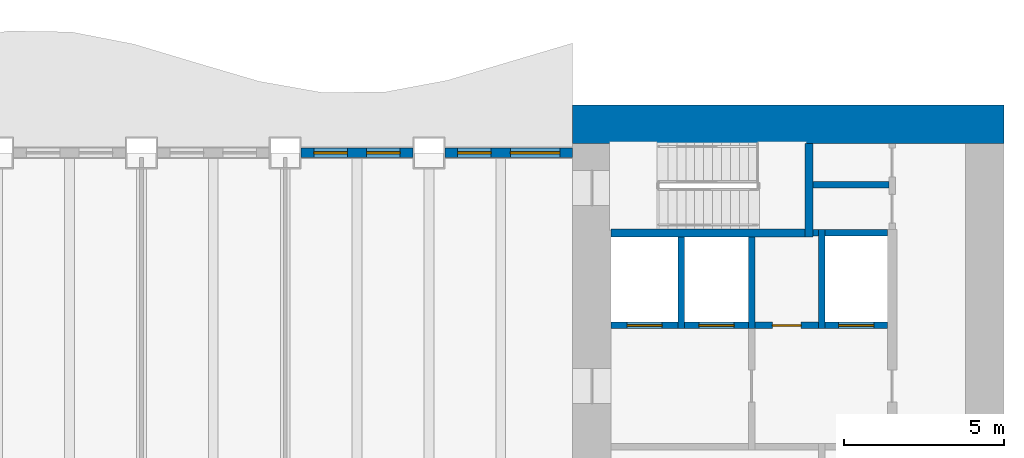
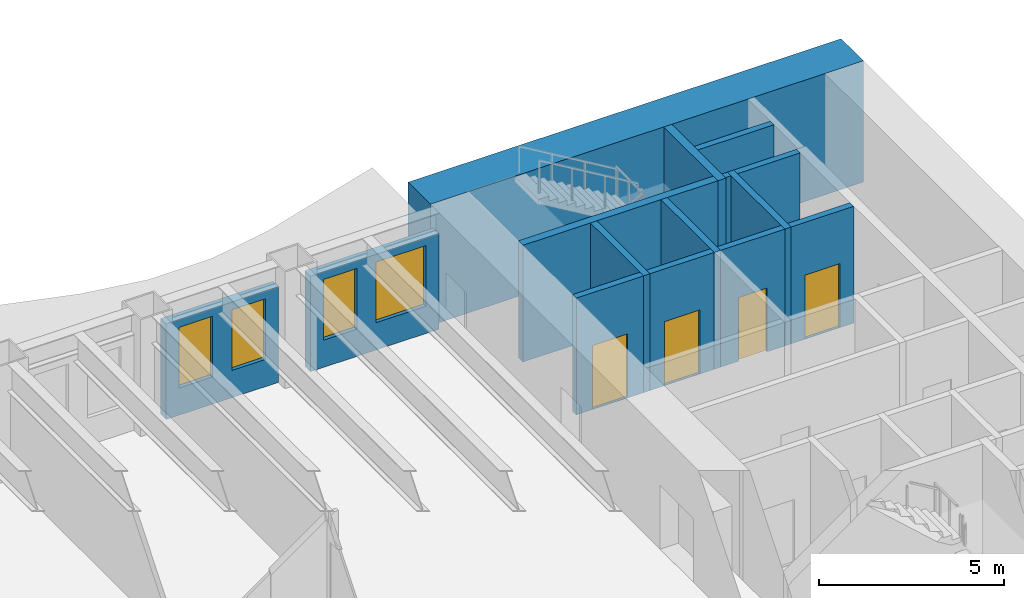
# One storey, part 7 of 16: 15 walls, 4 doors, 4 windows, 8 openings.
"""IFC4 building model written with IfcOpenShell, lengths in metres."""

from ifc_helpers import new_model, si_unit, direction, frame, frame_2d, origin, place, context, subcontext, project, spatial, rectangle, extrude, material, layer, layer_set, type_object, element, fill, save


model = new_model("IFC4")

# Units and contexts
model_context = context("Model", 3, precision=1e-05, world=origin(), true_north=direction((0.0, 1.0)))
body_context = subcontext(model_context, "Body", "Model", "MODEL_VIEW")
ifc_project = project(units=[si_unit("LENGTHUNIT", "METRE"), si_unit("AREAUNIT", "SQUARE_METRE"), si_unit("VOLUMEUNIT", "CUBIC_METRE"), si_unit("PLANEANGLEUNIT", "RADIAN"), si_unit("MASSUNIT", "GRAM", prefix="KILO")], contexts=[model_context])

# Site, building, storey
site_placement = place(None, origin())
site = spatial("IfcSite", under=ifc_project, at=site_placement, CompositionType="ELEMENT")
building_placement = place(site_placement, origin())
building = spatial("IfcBuilding", under=site, at=building_placement, Name="Sennacour Bend Tower", CompositionType="ELEMENT")
storey_placement = place(building_placement, frame((0.0, 0.0, 119.0)))
storey = spatial("IfcBuildingStorey", under=building, at=storey_placement, Name="L27", CompositionType="ELEMENT", Elevation=119.0)

# Wall
ifc_material_1 = material(Name="Concrete C80/95", Category="concrete")
ifc_layer_1 = layer(ifc_material_1, 1.199951171875, Name="Concrete C80/95", Category="concrete")
ifc_layer_set_1 = layer_set([ifc_layer_1], Name="Concrete C80/95")
wall_type_1 = type_object("IfcWallType", Name="Core wall 1200 C80/95", PredefinedType="SHEAR", material=ifc_layer_set_1)
wall_1_placement = place(storey_placement, frame((54.0, 21.89990234375, -0.14990234375), z_axis=(0.0, 0.0, 1.0), x_axis=(1.0, 0.0, 0.0)))
element("IfcWall", 1, at=wall_1_placement, inside=storey, type_object=wall_type_1, Name="Core A wall L27 N", PredefinedType="SHEAR", context=body_context, shape_type="SweptSolid", body=[
    extrude(rectangle(XDim=13.5, YDim=1.199951171875, at=frame_2d((6.75, 0.0))), origin(), (0.0, 0.0, 1.0), 4.0),
])

# Wall, opening, door
ifc_material_2 = material(Name="Fire-rated plasterboard partition on steel studs", Category="steel")
ifc_layer_2 = layer(ifc_material_2, 0.199951171875, Name="Fire-rated plasterboard partition on steel studs", Category="steel")
ifc_layer_set_2 = layer_set([ifc_layer_2], Name="Fire-rated plasterboard partition on steel studs")
wall_type_2 = type_object("IfcWallType", Name="Rated partition 200", PredefinedType="PARTITIONING", material=ifc_layer_set_2)
wall_2_placement = place(storey_placement, frame((59.699951171875, 15.60009765625, 0.0), z_axis=(0.0, 0.0, 1.0), x_axis=(1.0, 0.0, 0.0)))
wall_2 = element("IfcWall", 2, at=wall_2_placement, inside=storey, type_object=wall_type_2, Name="P-L27-W064", PredefinedType="PARTITIONING", context=body_context, shape_type="SweptSolid", body=[
    extrude(rectangle(XDim=2.0, YDim=0.199951171875, at=frame_2d((1.0, 0.0))), origin(), (0.0, 0.0, 1.0), 3.85009765625),
])
opening_1_placement = place(wall_2_placement, frame((0.550048828125, 0.0, 0.0)))
opening_1 = element("IfcOpeningElement", 3, at=opening_1_placement, cuts=wall_2, Name="Opening SV", PredefinedType="OPENING", context=body_context, shape_type="SweptSolid", body=[
    extrude(rectangle(XDim=0.89990234375, YDim=2.10009765625, at=frame_2d((0.449951171875, 1.050048828125))), frame((0.0, 0.10986328125, 0.0), z_axis=(0.0, -1.0, 0.0), x_axis=(1.0, 0.0, 0.0)), (0.0, 0.0, 1.0), 0.219970703125),
])
ifc_material_3 = material(Name="Painted steel", Category="steel")
door_type_1 = type_object("IfcDoorType", Name="DR-SERVICE-900", OperationType="NOTDEFINED", PredefinedType="DOOR", material=ifc_material_3)
door_1_placement = place(opening_1_placement, origin())
door_1 = element("IfcDoor", 4, at=door_1_placement, inside=storey, type_object=door_type_1, Name="Door", OperationType="SINGLE_SWING_RIGHT", OverallHeight=2.10009765625, OverallWidth=0.89990234375, PredefinedType="DOOR", context=body_context, shape_type="SweptSolid", body=[
    extrude(rectangle(XDim=0.89990234375, YDim=2.10009765625, at=frame_2d((0.449951171875, 1.050048828125))), frame((0.0, 0.02490234375, 0.0), z_axis=(0.0, -1.0, 0.0), x_axis=(1.0, 0.0, 0.0)), (0.0, 0.0, 1.0), 0.050048828125),
])
fill(opening_1, door_1)

# Walls
wall_3_placement = place(storey_placement, frame((61.52490234375, 18.5, 0.0), z_axis=(0.0, 0.0, 1.0), x_axis=(1.0, 0.0, 0.0)))
element("IfcWall", 5, at=wall_3_placement, inside=storey, type_object=wall_type_2, Name="P-L27-W068", PredefinedType="PARTITIONING", context=body_context, shape_type="SweptSolid", body=[
    extrude(rectangle(XDim=0.175048828125, YDim=0.199951171875, at=frame_2d((0.08740234375, 0.0))), origin(), (0.0, 0.0, 1.0), 3.85009765625),
])
wall_4_placement = place(storey_placement, frame((61.52490234375, 20.0, 0.0), z_axis=(0.0, 0.0, 1.0), x_axis=(1.0, 0.0, 0.0)))
element("IfcWall", 6, at=wall_4_placement, inside=storey, type_object=wall_type_2, Name="P-L27-W070", PredefinedType="PARTITIONING", context=body_context, shape_type="SweptSolid", body=[
    extrude(rectangle(XDim=2.375, YDim=0.199951171875, at=frame_2d((1.1875, 0.0))), origin(), (0.0, 0.0, 1.0), 3.85009765625),
])

# Wall, openings, windows
ifc_material_4 = material(Name="Warm limestone cladding", Category="masonry")
ifc_layer_3 = layer(ifc_material_4, 0.050048828125, Name="Warm limestone cladding", Category="masonry")
ifc_material_5 = material(Name="Precast concrete C40/50", Category="concrete")
ifc_layer_4 = layer(ifc_material_5, 0.25, Name="Precast concrete C40/50", Category="concrete")
ifc_layer_set_3 = layer_set([ifc_layer_3, ifc_layer_4], Name="Precast concrete C40/50 with limestone cladding")
wall_type_3 = type_object("IfcWallType", Name="STONE-CLAD PRECAST SPANDREL 300", PredefinedType="STANDARD", material=ifc_layer_set_3)
wall_5_placement = place(storey_placement, frame((54.0, 21.0, 0.0), z_axis=(0.0, 0.0, 1.0), x_axis=(-1.0, 0.0, 0.0)))
wall_5 = element("IfcWall", 7, at=wall_5_placement, inside=storey, type_object=wall_type_3, Name="Stone spandrel and pier wall L27 06.00", PredefinedType="STANDARD", context=body_context, shape_type="SweptSolid", body=[
    extrude(rectangle(XDim=4.0, YDim=0.300048828125, at=frame_2d((2.0, 0.0))), origin(), (0.0, 0.0, 1.0), 3.154052734375),
])
opening_2_placement = place(wall_5_placement, frame((0.39990234375, 0.0, 0.89990234375)))
opening_2 = element("IfcOpeningElement", 8, at=opening_2_placement, cuts=wall_5, Name="Opening W9", PredefinedType="OPENING", context=body_context, shape_type="SweptSolid", body=[
    extrude(rectangle(XDim=1.550048828125, YDim=2.0, at=frame_2d((0.77490234375, 1.0))), frame((0.0, 0.16015625, 0.0), z_axis=(0.0, -1.0, 0.0), x_axis=(1.0, 0.0, 0.0)), (0.0, 0.0, 1.0), 0.320068359375),
])
opening_3_placement = place(wall_5_placement, frame((2.550048828125, 0.0, 0.89990234375)))
opening_3 = element("IfcOpeningElement", 9, at=opening_3_placement, cuts=wall_5, Name="Opening W13", PredefinedType="OPENING", context=body_context, shape_type="SweptSolid", body=[
    extrude(rectangle(XDim=1.050048828125, YDim=2.0, at=frame_2d((0.52490234375, 1.0))), frame((0.0, 0.16015625, 0.0), z_axis=(0.0, -1.0, 0.0), x_axis=(1.0, 0.0, 0.0)), (0.0, 0.0, 1.0), 0.320068359375),
])
ifc_material_6 = material(Name="Clear low-emissivity glass", Category="glass")
window_type_1 = type_object("IfcWindowType", Name="WIN-RIBBON-1050x2000", PartitioningType="SINGLE_PANEL", PredefinedType="WINDOW", material=ifc_material_6)
window_1_placement = place(opening_3_placement, origin())
window_1 = element("IfcWindow", 10, at=window_1_placement, inside=storey, type_object=window_type_1, Name="Ribbon window L27 06.00.1", OverallHeight=2.0, OverallWidth=1.050048828125, PartitioningType="SINGLE_PANEL", PredefinedType="WINDOW", context=body_context, shape_type="SweptSolid", body=[
    extrude(rectangle(XDim=1.050048828125, YDim=2.0, at=frame_2d((0.52490234375, 1.0))), frame((0.0, 0.030029296875, 0.0), z_axis=(0.0, -1.0, 0.0), x_axis=(1.0, 0.0, 0.0)), (0.0, 0.0, 1.0), 0.06005859375),
])
fill(opening_3, window_1)
window_type_2 = type_object("IfcWindowType", Name="WIN-RIBBON-1550x2000", PartitioningType="SINGLE_PANEL", PredefinedType="WINDOW", material=ifc_material_6)
window_2_placement = place(opening_2_placement, origin())
window_2 = element("IfcWindow", 11, at=window_2_placement, inside=storey, type_object=window_type_2, Name="Ribbon window L27 06.00.0", OverallHeight=2.0, OverallWidth=1.550048828125, PartitioningType="SINGLE_PANEL", PredefinedType="WINDOW", context=body_context, shape_type="SweptSolid", body=[
    extrude(rectangle(XDim=1.550048828125, YDim=2.0, at=frame_2d((0.77490234375, 1.0))), frame((0.0, 0.030029296875, 0.0), z_axis=(0.0, -1.0, 0.0), x_axis=(1.0, 0.0, 0.0)), (0.0, 0.0, 1.0), 0.06005859375),
])
fill(opening_2, window_2)

wall_6_placement = place(storey_placement, frame((49.0, 21.0, 0.0), z_axis=(0.0, 0.0, 1.0), x_axis=(-1.0, 0.0, 0.0)))
wall_6 = element("IfcWall", 12, at=wall_6_placement, inside=storey, type_object=wall_type_3, Name="Stone spandrel and pier wall L27 06.01", PredefinedType="STANDARD", context=body_context, shape_type="SweptSolid", body=[
    extrude(rectangle(XDim=3.5, YDim=0.300048828125, at=frame_2d((1.75, 0.0))), origin(), (0.0, 0.0, 1.0), 3.154052734375),
])
opening_4_placement = place(wall_6_placement, frame((0.39990234375, 0.0, 0.89990234375)))
opening_4 = element("IfcOpeningElement", 13, at=opening_4_placement, cuts=wall_6, Name="Opening W13", PredefinedType="OPENING", context=body_context, shape_type="SweptSolid", body=[
    extrude(rectangle(XDim=1.050048828125, YDim=2.0, at=frame_2d((0.52490234375, 1.0))), frame((0.0, 0.16015625, 0.0), z_axis=(0.0, -1.0, 0.0), x_axis=(1.0, 0.0, 0.0)), (0.0, 0.0, 1.0), 0.320068359375),
])
opening_5_placement = place(wall_6_placement, frame((2.050048828125, 0.0, 0.89990234375)))
opening_5 = element("IfcOpeningElement", 14, at=opening_5_placement, cuts=wall_6, Name="Opening W13", PredefinedType="OPENING", context=body_context, shape_type="SweptSolid", body=[
    extrude(rectangle(XDim=1.050048828125, YDim=2.0, at=frame_2d((0.52490234375, 1.0))), frame((0.0, 0.16015625, 0.0), z_axis=(0.0, -1.0, 0.0), x_axis=(1.0, 0.0, 0.0)), (0.0, 0.0, 1.0), 0.320068359375),
])
window_3_placement = place(opening_4_placement, origin())
window_3 = element("IfcWindow", 15, at=window_3_placement, inside=storey, type_object=window_type_1, Name="Ribbon window L27 06.01.0", OverallHeight=2.0, OverallWidth=1.050048828125, PartitioningType="SINGLE_PANEL", PredefinedType="WINDOW", context=body_context, shape_type="SweptSolid", body=[
    extrude(rectangle(XDim=1.050048828125, YDim=2.0, at=frame_2d((0.52490234375, 1.0))), frame((0.0, 0.030029296875, 0.0), z_axis=(0.0, -1.0, 0.0), x_axis=(1.0, 0.0, 0.0)), (0.0, 0.0, 1.0), 0.06005859375),
])
fill(opening_4, window_3)
window_4_placement = place(opening_5_placement, origin())
window_4 = element("IfcWindow", 16, at=window_4_placement, inside=storey, type_object=window_type_1, Name="Ribbon window L27 06.01.1", OverallHeight=2.0, OverallWidth=1.050048828125, PartitioningType="SINGLE_PANEL", PredefinedType="WINDOW", context=body_context, shape_type="SweptSolid", body=[
    extrude(rectangle(XDim=1.050048828125, YDim=2.0, at=frame_2d((0.52490234375, 1.0))), frame((0.0, 0.030029296875, 0.0), z_axis=(0.0, -1.0, 0.0), x_axis=(1.0, 0.0, 0.0)), (0.0, 0.0, 1.0), 0.06005859375),
])
fill(opening_5, window_4)

# Walls
ifc_material_7 = material(Name="Concrete C50/60", Category="concrete")
ifc_layer_5 = layer(ifc_material_7, 0.199951171875, Name="Concrete C50/60", Category="concrete")
ifc_layer_set_4 = layer_set([ifc_layer_5], Name="Concrete C50/60")
wall_type_4 = type_object("IfcWallType", Name="Shaft wall 200", PredefinedType="SOLIDWALL", material=ifc_layer_set_4)
for number, where, z_axis, x_axis, name in (
    (17, (57.39990234375, 15.5, 0.0), (0.0, 0.0, 1.0), (0.0, 1.0, 0.0), "P-L27-W037"),
    (18, (59.60009765625, 15.5, 0.0), (0.0, 0.0, 1.0), (0.0, 1.0, 0.0), "P-L27-W040"),
):
    element("IfcWall", number, at=place(storey_placement, frame(where, z_axis=z_axis, x_axis=x_axis)), inside=storey, type_object=wall_type_4, Name=name, PredefinedType="SOLIDWALL", context=body_context, shape_type="SweptSolid", body=[
        extrude(rectangle(XDim=2.875, YDim=0.199951171875, at=frame_2d((1.4375, 0.0))), origin(), (0.0, 0.0, 1.0), 3.85009765625),
    ])
wall_7_placement = place(storey_placement, frame((61.800048828125, 15.5, 0.0), z_axis=(0.0, 0.0, 1.0), x_axis=(0.0, 1.0, 0.0)))
element("IfcWall", 19, at=wall_7_placement, inside=storey, type_object=wall_type_4, Name="P-L27-W045", PredefinedType="SOLIDWALL", context=body_context, shape_type="SweptSolid", body=[
    extrude(rectangle(XDim=3.10009765625, YDim=0.199951171875, at=frame_2d((1.550048828125, 0.0))), origin(), (0.0, 0.0, 1.0), 3.85009765625),
])

# Wall, opening, door
wall_8_placement = place(storey_placement, frame((55.199951171875, 15.60009765625, 0.0), z_axis=(0.0, 0.0, 1.0), x_axis=(1.0, 0.0, 0.0)))
wall_8 = element("IfcWall", 20, at=wall_8_placement, inside=storey, type_object=wall_type_4, Name="P-L27-W063a", PredefinedType="SOLIDWALL", context=body_context, shape_type="SweptSolid", body=[
    extrude(rectangle(XDim=2.10009765625, YDim=0.199951171875, at=frame_2d((1.050048828125, 0.0))), origin(), (0.0, 0.0, 1.0), 3.85009765625),
])
opening_6_placement = place(wall_8_placement, frame((0.5, 0.0, 0.011962890625)))
opening_6 = element("IfcOpeningElement", 21, at=opening_6_placement, cuts=wall_8, Name="Opening FLD", PredefinedType="OPENING", context=body_context, shape_type="SweptSolid", body=[
    extrude(rectangle(XDim=1.10009765625, YDim=2.10009765625, at=frame_2d((0.550048828125, 1.050048828125))), frame((0.0, 0.10986328125, 0.0), z_axis=(0.0, -1.0, 0.0), x_axis=(1.0, 0.0, 0.0)), (0.0, 0.0, 1.0), 0.219970703125),
])
ifc_material_8 = material(Name="Stainless steel", Category="steel")
door_type_2 = type_object("IfcDoorType", Name="DR-FF-LANDING-1100", OperationType="NOTDEFINED", PredefinedType="DOOR", material=ifc_material_8)
door_2_placement = place(opening_6_placement, origin())
door_2 = element("IfcDoor", 22, at=door_2_placement, inside=storey, type_object=door_type_2, Name="Fire service lift landing door FA1", OperationType="SLIDING_TO_LEFT", OverallHeight=2.10009765625, OverallWidth=1.10009765625, PredefinedType="DOOR", context=body_context, shape_type="SweptSolid", body=[
    extrude(rectangle(XDim=1.10009765625, YDim=2.10009765625, at=frame_2d((0.550048828125, 1.050048828125))), frame((0.0, 0.02490234375, 0.0), z_axis=(0.0, -1.0, 0.0), x_axis=(1.0, 0.0, 0.0)), (0.0, 0.0, 1.0), 0.050048828125),
])
fill(opening_6, door_2)

wall_9_placement = place(storey_placement, frame((57.5, 15.60009765625, 0.0), z_axis=(0.0, 0.0, 1.0), x_axis=(1.0, 0.0, 0.0)))
wall_9 = element("IfcWall", 23, at=wall_9_placement, inside=storey, type_object=wall_type_4, Name="P-L27-W063b", PredefinedType="SOLIDWALL", context=body_context, shape_type="SweptSolid", body=[
    extrude(rectangle(XDim=2.0, YDim=0.199951171875, at=frame_2d((1.0, 0.0))), origin(), (0.0, 0.0, 1.0), 3.85009765625),
])
opening_7_placement = place(wall_9_placement, frame((0.449951171875, 0.0, 0.011962890625)))
opening_7 = element("IfcOpeningElement", 24, at=opening_7_placement, cuts=wall_9, Name="Opening FLD", PredefinedType="OPENING", context=body_context, shape_type="SweptSolid", body=[
    extrude(rectangle(XDim=1.10009765625, YDim=2.10009765625, at=frame_2d((0.550048828125, 1.050048828125))), frame((0.0, 0.10986328125, 0.0), z_axis=(0.0, -1.0, 0.0), x_axis=(1.0, 0.0, 0.0)), (0.0, 0.0, 1.0), 0.219970703125),
])
door_3_placement = place(opening_7_placement, origin())
door_3 = element("IfcDoor", 25, at=door_3_placement, inside=storey, type_object=door_type_2, Name="Fire service lift landing door FA2", OperationType="SLIDING_TO_RIGHT", OverallHeight=2.10009765625, OverallWidth=1.10009765625, PredefinedType="DOOR", context=body_context, shape_type="SweptSolid", body=[
    extrude(rectangle(XDim=1.10009765625, YDim=2.10009765625, at=frame_2d((0.550048828125, 1.050048828125))), frame((0.0, 0.02490234375, 0.0), z_axis=(0.0, -1.0, 0.0), x_axis=(1.0, 0.0, 0.0)), (0.0, 0.0, 1.0), 0.050048828125),
])
fill(opening_7, door_3)

wall_10_placement = place(storey_placement, frame((61.89990234375, 15.60009765625, 0.0), z_axis=(0.0, 0.0, 1.0), x_axis=(1.0, 0.0, 0.0)))
wall_10 = element("IfcWall", 26, at=wall_10_placement, inside=storey, type_object=wall_type_4, Name="P-L27-W065", PredefinedType="SOLIDWALL", context=body_context, shape_type="SweptSolid", body=[
    extrude(rectangle(XDim=1.9501953125, YDim=0.199951171875, at=frame_2d((0.97509765625, 0.0))), origin(), (0.0, 0.0, 1.0), 3.85009765625),
])
opening_8_placement = place(wall_10_placement, frame((0.425048828125, 0.0, 0.011962890625)))
opening_8 = element("IfcOpeningElement", 27, at=opening_8_placement, cuts=wall_10, Name="Opening LD", PredefinedType="OPENING", context=body_context, shape_type="SweptSolid", body=[
    extrude(rectangle(XDim=1.10009765625, YDim=2.10009765625, at=frame_2d((0.550048828125, 1.050048828125))), frame((0.0, 0.10986328125, 0.0), z_axis=(0.0, -1.0, 0.0), x_axis=(1.0, 0.0, 0.0)), (0.0, 0.0, 1.0), 0.219970703125),
])
door_type_3 = type_object("IfcDoorType", Name="DR-LANDING-1100", OperationType="NOTDEFINED", PredefinedType="DOOR", material=ifc_material_8)
door_4_placement = place(opening_8_placement, origin())
door_4 = element("IfcDoor", 28, at=door_4_placement, inside=storey, type_object=door_type_3, Name="Lift landing door LA5", OperationType="SLIDING_TO_LEFT", OverallHeight=2.10009765625, OverallWidth=1.10009765625, PredefinedType="DOOR", context=body_context, shape_type="SweptSolid", body=[
    extrude(rectangle(XDim=1.10009765625, YDim=2.10009765625, at=frame_2d((0.550048828125, 1.050048828125))), frame((0.0, 0.02490234375, 0.0), z_axis=(0.0, -1.0, 0.0), x_axis=(1.0, 0.0, 0.0)), (0.0, 0.0, 1.0), 0.050048828125),
])
fill(opening_8, door_4)

# Walls
wall_11_placement = place(storey_placement, frame((61.89990234375, 18.5, 0.0), z_axis=(0.0, 0.0, 1.0), x_axis=(1.0, 0.0, 0.0)))
element("IfcWall", 29, at=wall_11_placement, inside=storey, type_object=wall_type_4, Name="P-L27-W069", PredefinedType="SOLIDWALL", context=body_context, shape_type="SweptSolid", body=[
    extrude(rectangle(XDim=1.9501953125, YDim=0.199951171875, at=frame_2d((0.97509765625, 0.0))), origin(), (0.0, 0.0, 1.0), 3.85009765625),
])
ifc_material_9 = material(Name="Concrete C60/75", Category="concrete")
ifc_layer_6 = layer(ifc_material_9, 0.25, Name="Concrete C60/75", Category="concrete")
ifc_layer_set_5 = layer_set([ifc_layer_6], Name="Concrete C60/75")
wall_type_5 = type_object("IfcWallType", Name="Stair wall 250", PredefinedType="SHEAR", material=ifc_layer_set_5)
wall_12_placement = place(storey_placement, frame((61.39990234375, 18.375, 0.0), z_axis=(0.0, 0.0, 1.0), x_axis=(0.0, 1.0, 0.0)))
element("IfcWall", 30, at=wall_12_placement, inside=storey, type_object=wall_type_5, Name="P-L27-W042", PredefinedType="SHEAR", context=body_context, shape_type="SweptSolid", body=[
    extrude(rectangle(XDim=2.925048828125, YDim=0.25, at=frame_2d((1.46240234375, 0.0))), origin(), (0.0, 0.0, 1.0), 3.85009765625),
])
wall_13_placement = place(storey_placement, frame((55.199951171875, 18.5, 0.0), z_axis=(0.0, 0.0, 1.0), x_axis=(1.0, 0.0, 0.0)))
element("IfcWall", 31, at=wall_13_placement, inside=storey, type_object=wall_type_5, Name="P-L27-W067", PredefinedType="SHEAR", context=body_context, shape_type="SweptSolid", body=[
    extrude(rectangle(XDim=6.074951171875, YDim=0.25, at=frame_2d((3.03759765625, 0.0))), origin(), (0.0, 0.0, 1.0), 3.85009765625),
])

save(model, "model.ifc")
